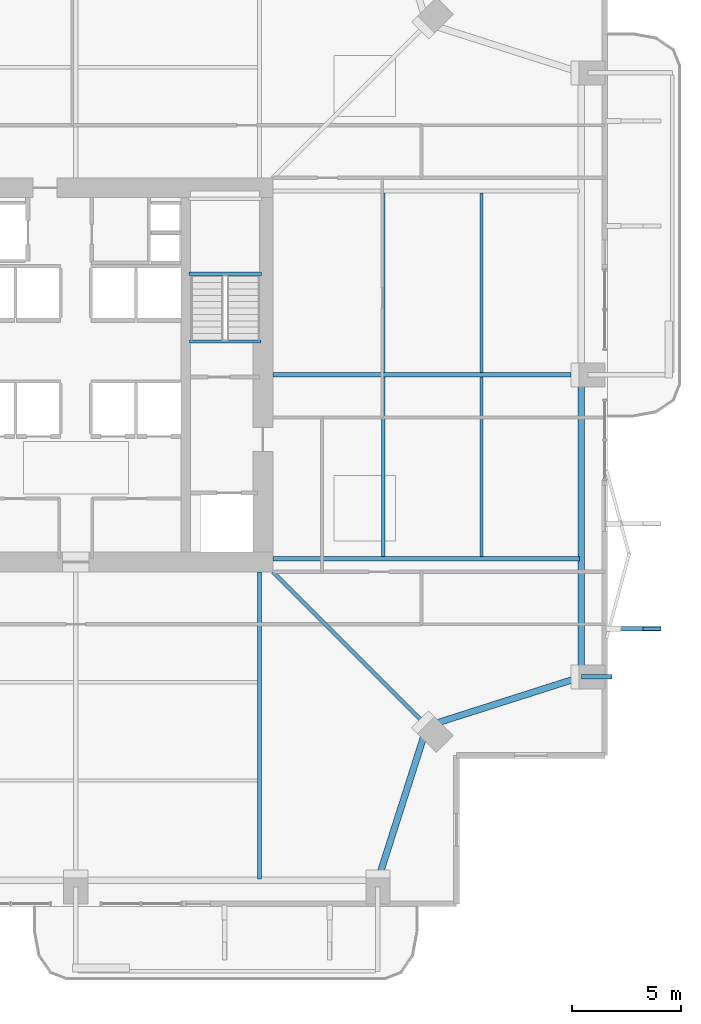
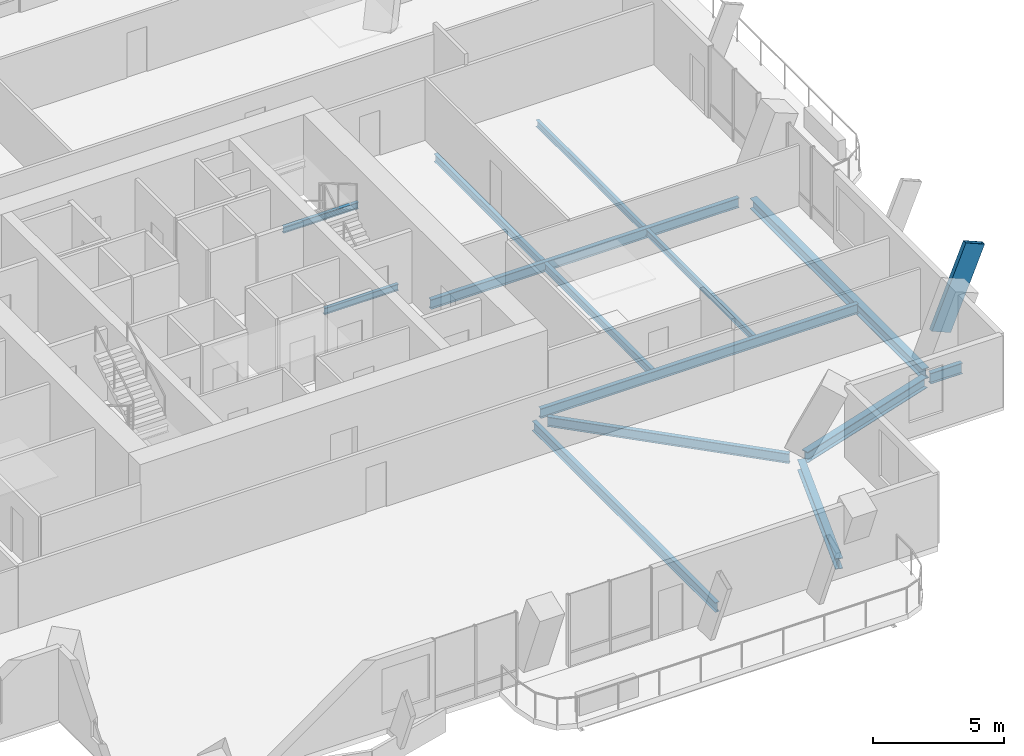
# One storey, part 9 of 24: 14 beams, 1 member.
"""IFC4 building model written with IfcOpenShell, lengths in metres."""

from ifc_helpers import new_model, si_unit, direction, frame, origin, origin_2d, place, context, subcontext, project, spatial, hollow_rectangle, i_section, extrude, material, material_profile, profile_set, type_object, element, save


model = new_model("IFC4")

# Units and contexts
model_context = context("Model", 3, precision=1e-05, world=origin(), true_north=direction((0.0, 1.0)))
body_context = subcontext(model_context, "Body", "Model", "MODEL_VIEW")
ifc_project = project(units=[si_unit("LENGTHUNIT", "METRE"), si_unit("AREAUNIT", "SQUARE_METRE"), si_unit("VOLUMEUNIT", "CUBIC_METRE"), si_unit("PLANEANGLEUNIT", "RADIAN"), si_unit("MASSUNIT", "GRAM", prefix="KILO")], contexts=[model_context])

# Site, building, storey
site_placement = place(None, origin())
site = spatial("IfcSite", under=ifc_project, at=site_placement, CompositionType="ELEMENT")
building_placement = place(site_placement, origin())
building = spatial("IfcBuilding", under=site, at=building_placement, Name="Belovzor Exchange Tower", CompositionType="ELEMENT")
storey_placement = place(building_placement, frame((0.0, 0.0, 190.800048828125)))
storey = spatial("IfcBuildingStorey", under=building, at=storey_placement, Name="L47", CompositionType="ELEMENT", Elevation=190.800048828125)

# Beams
ifc_material_1 = material(Name="Steel S355", Category="steel")
ifc_material_profile_1 = material_profile(ifc_material_1, i_section(OverallWidth=0.199951171875, OverallDepth=0.5, WebThickness=0.01025390625, FlangeThickness=0.01611328125, at=origin_2d()))
ifc_profile_set_1 = profile_set([ifc_material_profile_1], Name="Steel S355")
beam_type_1 = type_object("IfcBeamType", Name="Planted Balcony Cantilever Beam IPE 500", PredefinedType="BEAM", material=ifc_profile_set_1)
beam_1_placement = place(storey_placement, frame((51.89990234375, 15.0, -0.505126953125), z_axis=(1.0, 0.0, 0.0), x_axis=(0.0, 1.0, 0.0)))
element("IfcBeam", 1, at=beam_1_placement, inside=storey, type_object=beam_type_1, Name="BC-500 Planted Balcony Cantilever Beam IPE 500", PredefinedType="BEAM", context=body_context, shape_type="SweptSolid", body=[
    extrude(i_section(OverallWidth=0.199951171875, OverallDepth=0.5, WebThickness=0.01025390625, FlangeThickness=0.01611328125, at=origin_2d()), origin(), (0.0, 0.0, 1.0), 1.400146484375),
])
ifc_material_2 = material(Name="Steel S355", Category="steel")
ifc_material_profile_2 = material_profile(ifc_material_2, i_section(OverallWidth=0.169921875, OverallDepth=0.360107421875, WebThickness=0.008056640625, FlangeThickness=0.0126953125, at=origin_2d()))
ifc_profile_set_2 = profile_set([ifc_material_profile_2], Name="Steel S355")
beam_type_2 = type_object("IfcBeamType", Name="Secondary Infill Floor Joist IPE 360", PredefinedType="BEAM", material=ifc_profile_set_2)
for number, where, z_axis, x_axis, name in (
    (2, (42.84912109375, 20.4951171875, -0.43505859375), (0.0, 1.0, 0.0), (-1.0, 0.0, 0.0), "FJ-360 Secondary Infill Floor Joist IPE 360"),
    (3, (42.84912109375, 28.89501953125, -0.43505859375), (0.0, 1.0, 0.0), (-1.0, 0.0, 0.0), "FJ-360 Secondary Infill Floor Joist IPE 360"),
):
    element("IfcBeam", number, at=place(storey_placement, frame(where, z_axis=z_axis, x_axis=x_axis)), inside=storey, type_object=beam_type_2, Name=name, PredefinedType="BEAM", context=body_context, shape_type="SweptSolid", body=[
        extrude(i_section(OverallWidth=0.169921875, OverallDepth=0.360107421875, WebThickness=0.008056640625, FlangeThickness=0.0126953125, at=origin_2d()), origin(), (0.0, 0.0, 1.0), 8.2099609375),
    ])
ifc_material_3 = material(Name="Steel S355", Category="steel")
ifc_material_profile_3 = material_profile(ifc_material_3, i_section(OverallWidth=0.14990234375, OverallDepth=0.300048828125, WebThickness=0.007080078125, FlangeThickness=0.0107421875, at=origin_2d()))
ifc_profile_set_3 = profile_set([ifc_material_profile_3], Name="Steel S355")
beam_type_3 = type_object("IfcBeamType", Name="Secondary Trim Floor Joist IPE 300", PredefinedType="BEAM", material=ifc_profile_set_3)
beam_2_placement = place(storey_placement, frame((37.280029296875, 33.419921875, 1.52490234375), z_axis=(-1.0, 0.0, 0.0), x_axis=(0.0, -1.0, 0.0)))
element("IfcBeam", 4, at=beam_2_placement, inside=storey, type_object=beam_type_3, Name="FJ-300 Secondary Trim Floor Joist IPE 300", PredefinedType="BEAM", context=body_context, shape_type="SweptSolid", body=[
    extrude(i_section(OverallWidth=0.14990234375, OverallDepth=0.300048828125, WebThickness=0.007080078125, FlangeThickness=0.0107421875, at=origin_2d()), origin(), (0.0, 0.0, 1.0), 3.31005859375),
])
beam_3_placement = place(storey_placement, frame((37.260009765625, 30.320068359375, -0.405029296875), z_axis=(-1.0, 0.0, 0.0), x_axis=(0.0, -1.0, 0.0)))
element("IfcBeam", 5, at=beam_3_placement, inside=storey, type_object=beam_type_3, Name="FJ-300 Secondary Trim Floor Joist IPE 300", PredefinedType="BEAM", context=body_context, shape_type="SweptSolid", body=[
    extrude(i_section(OverallWidth=0.14990234375, OverallDepth=0.300048828125, WebThickness=0.007080078125, FlangeThickness=0.0107421875, at=origin_2d()), origin(), (0.0, 0.0, 1.0), 3.27001953125),
])
for number, where, z_axis, x_axis, name in (
    (6, (47.3369140625, 20.4951171875, -0.405029296875), (0.0, 1.0, 0.0), (-1.0, 0.0, 0.0), "FJ-300 Secondary Trim Floor Joist IPE 300"),
    (7, (47.3369140625, 28.89501953125, -0.405029296875), (0.0, 1.0, 0.0), (-1.0, 0.0, 0.0), "FJ-300 Secondary Trim Floor Joist IPE 300"),
):
    element("IfcBeam", number, at=place(storey_placement, frame(where, z_axis=z_axis, x_axis=x_axis)), inside=storey, type_object=beam_type_3, Name=name, PredefinedType="BEAM", context=body_context, shape_type="SweptSolid", body=[
        extrude(i_section(OverallWidth=0.14990234375, OverallDepth=0.300048828125, WebThickness=0.007080078125, FlangeThickness=0.0107421875, at=origin_2d()), origin(), (0.0, 0.0, 1.0), 8.2099609375),
    ])

# Member
ifc_material_4 = material(Name="Extruded Architectural Terracotta on Steel S355 Carrier", Category="masonry")
ifc_material_profile_4 = material_profile(ifc_material_4, hollow_rectangle(XDim=0.199951171875, YDim=0.89990234375, WallThickness=0.011962890625, at=origin_2d()))
ifc_profile_set_4 = profile_set([ifc_material_profile_4], Name="Extruded Architectural Terracotta on Steel S355 Carrier")
member_type = type_object("IfcMemberType", Name="Sweeping Terracotta Baguette Fin Assembly 1250", PredefinedType="USERDEFINED", material=ifc_profile_set_4)
member_placement = place(storey_placement, frame((53.625, 17.199951171875, -0.255126953125), z_axis=(0.384162484071, 0.0, 0.923265501268), x_axis=(0.0, 1.0, 0.0)))
element("IfcMember", 8, at=member_placement, inside=storey, type_object=member_type, Name="FIN-TC125 Terracotta Facade Fin L47 E1", ObjectType="FIN", PredefinedType="USERDEFINED", context=body_context, shape_type="SweptSolid", body=[
    extrude(hollow_rectangle(XDim=0.199951171875, YDim=0.89990234375, WallThickness=0.011962890625, at=origin_2d()), origin(), (0.0, 0.0, 1.0), 3.904541015625),
])

# Beams
ifc_material_5 = material(Name="Steel S355", Category="steel")
ifc_material_profile_5 = material_profile(ifc_material_5, i_section(OverallWidth=0.18994140625, OverallDepth=0.449951171875, WebThickness=0.009521484375, FlangeThickness=0.0146484375, at=origin_2d()))
ifc_profile_set_5 = profile_set([ifc_material_profile_5], Name="Steel S355")
beam_type_4 = type_object("IfcBeamType", Name="Zone 2-4 Radial Composite Floor Beam IPE 450", PredefinedType="BEAM", material=ifc_profile_set_5)
beam_4_placement = place(storey_placement, frame((37.199951171875, 19.800048828125, -0.47998046875), z_axis=(0.0, -1.0, 0.0), x_axis=(1.0, 0.0, 0.0)))
element("IfcBeam", 9, at=beam_4_placement, inside=storey, type_object=beam_type_4, Name="FB-450 Zone 2-4 Radial Composite Floor Beam IPE 450", PredefinedType="BEAM", context=body_context, shape_type="SweptSolid", body=[
    extrude(i_section(OverallWidth=0.18994140625, OverallDepth=0.449951171875, WebThickness=0.009521484375, FlangeThickness=0.0146484375, at=origin_2d()), origin(), (0.0, 0.0, 1.0), 14.025146484375),
])
beam_5_placement = place(storey_placement, frame((37.800048828125, 20.39990234375, -0.47998046875), z_axis=(1.0, 0.0, 0.0), x_axis=(0.0, 1.0, 0.0)))
element("IfcBeam", 10, at=beam_5_placement, inside=storey, type_object=beam_type_4, Name="FB-450 Zone 2-4 Radial Composite Floor Beam IPE 450", PredefinedType="BEAM", context=body_context, shape_type="SweptSolid", body=[
    extrude(i_section(OverallWidth=0.18994140625, OverallDepth=0.449951171875, WebThickness=0.009521484375, FlangeThickness=0.0146484375, at=origin_2d()), origin(), (0.0, 0.0, 1.0), 14.02490234375),
])
beam_6_placement = place(storey_placement, frame((37.800048828125, 28.800048828125, -0.47998046875), z_axis=(1.0, 0.0, 0.0), x_axis=(0.0, 1.0, 0.0)))
element("IfcBeam", 11, at=beam_6_placement, inside=storey, type_object=beam_type_4, Name="FB-450 Zone 2-4 Radial Composite Floor Beam IPE 450", PredefinedType="BEAM", context=body_context, shape_type="SweptSolid", body=[
    extrude(i_section(OverallWidth=0.18994140625, OverallDepth=0.449951171875, WebThickness=0.009521484375, FlangeThickness=0.0146484375, at=origin_2d()), origin(), (0.0, 0.0, 1.0), 13.615966796875),
])
beam_7_placement = place(storey_placement, frame((37.800048828125, 19.800048828125, -0.47998046875), z_axis=(0.707094040639, -0.707119521505, 0.0), x_axis=(0.707119521505, 0.707094040639, 0.0)))
element("IfcBeam", 12, at=beam_7_placement, inside=storey, type_object=beam_type_4, Name="FB-450 Zone 2-4 Radial Composite Floor Beam IPE 450", PredefinedType="BEAM", context=body_context, shape_type="SweptSolid", body=[
    extrude(i_section(OverallWidth=0.18994140625, OverallDepth=0.449951171875, WebThickness=0.009521484375, FlangeThickness=0.0146484375, at=origin_2d()), origin(), (0.0, 0.0, 1.0), 9.581298828125),
])
ifc_material_6 = material(Name="Steel S355", Category="steel")
ifc_material_profile_6 = material_profile(ifc_material_6, i_section(OverallWidth=0.300048828125, OverallDepth=0.5, WebThickness=0.014404296875, FlangeThickness=0.028076171875, at=origin_2d()))
ifc_profile_set_6 = profile_set([ifc_material_profile_6], Name="Steel S355")
beam_type_5 = type_object("IfcBeamType", Name="Zone 3 Waist Primary Girder HEB 500", PredefinedType="BEAM", material=ifc_profile_set_6)
for number, where, z_axis, x_axis, name in (
    (13, (42.69189453125, 5.988037109375, -0.505126953125), (0.304044336164, 0.952657882792, 0.0), (-0.952657882792, 0.304044336164, 0.0), "FG-Z3 Zone 3 Waist Primary Girder HEB 500"),
    (14, (45.137939453125, 12.842041015625, -0.505126953125), (0.952671608699, 0.304001325621, 0.0), (-0.304001325621, 0.952671608699, 0.0), "FG-Z3 Zone 3 Waist Primary Girder HEB 500"),
):
    element("IfcBeam", number, at=place(storey_placement, frame(where, z_axis=z_axis, x_axis=x_axis)), inside=storey, type_object=beam_type_5, Name=name, PredefinedType="BEAM", context=body_context, shape_type="SweptSolid", body=[
        extrude(i_section(OverallWidth=0.300048828125, OverallDepth=0.5, WebThickness=0.014404296875, FlangeThickness=0.028076171875, at=origin_2d()), origin(), (0.0, 0.0, 1.0), 6.795654296875),
    ])
beam_8_placement = place(storey_placement, frame((51.89990234375, 15.302978515625, -0.505126953125), z_axis=(0.0, 1.0, 0.0), x_axis=(-1.0, 0.0, 0.0)))
element("IfcBeam", 15, at=beam_8_placement, inside=storey, type_object=beam_type_5, Name="FG-Z3 Zone 3 Waist Primary Girder HEB 500", PredefinedType="BEAM", context=body_context, shape_type="SweptSolid", body=[
    extrude(i_section(OverallWidth=0.300048828125, OverallDepth=0.5, WebThickness=0.014404296875, FlangeThickness=0.028076171875, at=origin_2d()), origin(), (0.0, 0.0, 1.0), 13.195068359375),
])

save(model, "model.ifc")
